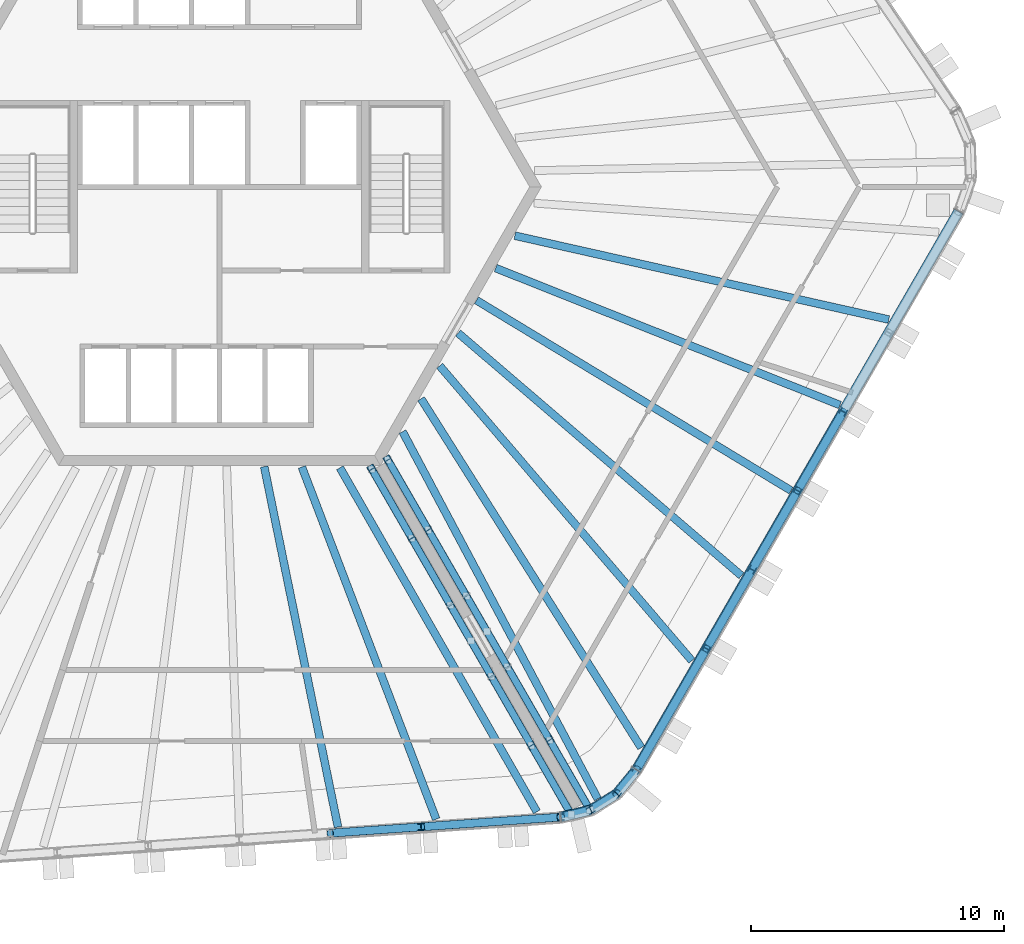
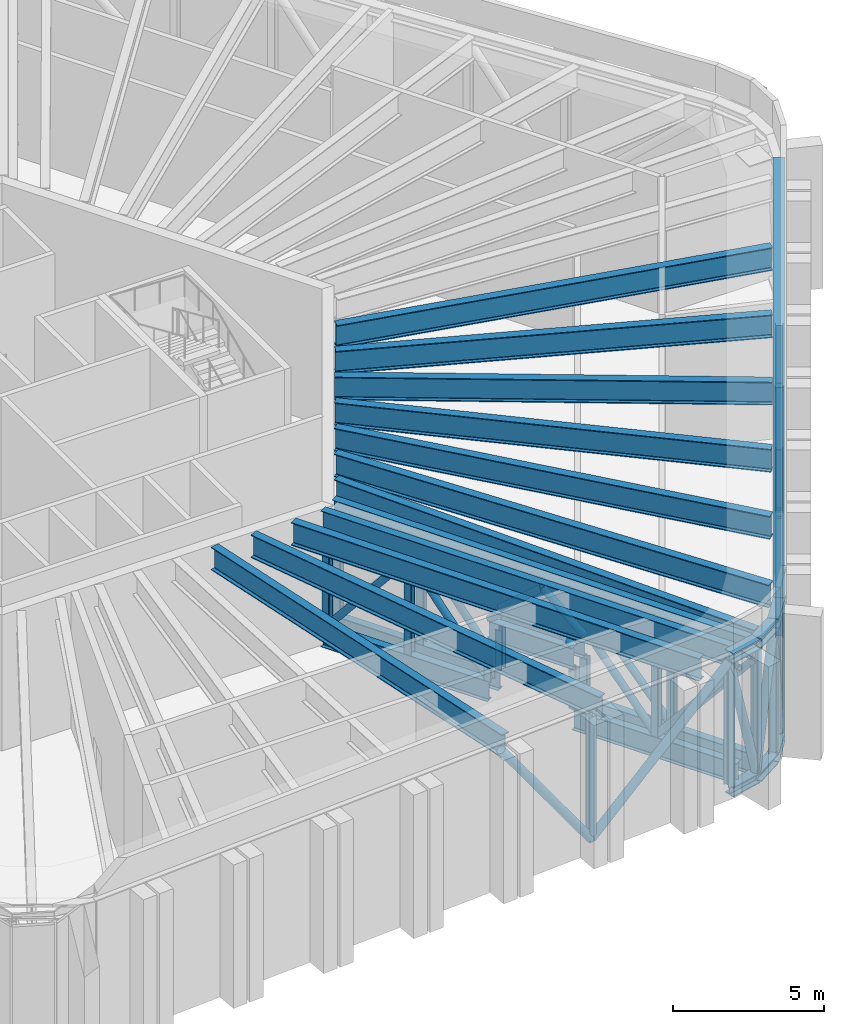
# One storey, part 4 of 19: 56 members, 10 beams.
"""IFC4 building model written with IfcOpenShell, lengths in metres."""

from ifc_helpers import new_model, si_unit, direction, frame, origin, origin_2d, place, context, subcontext, project, spatial, hollow_circle, i_section, extrude, material, material_profile, profile_set, type_object, element, save


model = new_model("IFC4")

# Units and contexts
model_context = context("Model", 3, precision=1e-05, world=origin(), true_north=direction((0.0, 1.0)))
body_context = subcontext(model_context, "Body", "Model", "MODEL_VIEW")
ifc_project = project(units=[si_unit("LENGTHUNIT", "METRE"), si_unit("AREAUNIT", "SQUARE_METRE"), si_unit("VOLUMEUNIT", "CUBIC_METRE"), si_unit("PLANEANGLEUNIT", "RADIAN"), si_unit("MASSUNIT", "GRAM", prefix="KILO")], contexts=[model_context])

# Site, building, storey
site_placement = place(None, origin())
site = spatial("IfcSite", under=ifc_project, at=site_placement, CompositionType="ELEMENT")
building_placement = place(site_placement, origin())
building = spatial("IfcBuilding", under=site, at=building_placement, Name="Tarnside Tower", CompositionType="ELEMENT")
storey_placement = place(building_placement, frame((0.0, 0.0, 343.5)))
storey = spatial("IfcBuildingStorey", under=building, at=storey_placement, Name="L83", CompositionType="ELEMENT", Elevation=343.5)

# Beams
ifc_material = material(Name="Steel S355", Category="steel")
ifc_material_profile_1 = material_profile(ifc_material, i_section(OverallWidth=0.3076171875, OverallDepth=0.926513671875, WebThickness=0.01953125, FlangeThickness=0.031982421875, FilletRadius=0.01904296875, at=origin_2d()), Name="UB 914x305x289")
ifc_profile_set_1 = profile_set([ifc_material_profile_1], Name="Steel S355")
beam_type = type_object("IfcBeamType", Name="Floor beam UB 914x305x289", PredefinedType="BEAM", material=ifc_profile_set_1)
beam_1_placement = place(storey_placement, frame((4.67529296875, -25.26416015625, 5.03662109375), z_axis=(-0.200592466345, 0.979674773813, 0.0), x_axis=(-0.979674773813, -0.200592466345, 0.0)))
element("IfcBeam", 1, at=beam_1_placement, inside=storey, type_object=beam_type, Name="Floor beam F4.05", PredefinedType="BEAM", context=body_context, shape_type="SweptSolid", body=[
    extrude(i_section(OverallWidth=0.3076171875, OverallDepth=0.926513671875, WebThickness=0.01953125, FlangeThickness=0.031982421875, FilletRadius=0.01904296875, at=origin_2d()), origin(), (0.0, 0.0, 1.0), 14.52001953125),
])
beam_2_placement = place(storey_placement, frame((8.550537109375, -24.955322265625, 5.03662109375), z_axis=(-0.356324946615, 0.934362099199, 0.0), x_axis=(-0.934362099199, -0.356324946615, 0.0)))
element("IfcBeam", 2, at=beam_2_placement, inside=storey, type_object=beam_type, Name="Floor beam F4.06", PredefinedType="BEAM", context=body_context, shape_type="SweptSolid", body=[
    extrude(i_section(OverallWidth=0.3076171875, OverallDepth=0.926513671875, WebThickness=0.01953125, FlangeThickness=0.031982421875, FilletRadius=0.01904296875, at=origin_2d()), origin(), (0.0, 0.0, 1.0), 14.87548828125),
])
beam_3_placement = place(storey_placement, frame((12.5244140625, -24.662841796875, 5.03662109375), z_axis=(-0.496851392144, 0.867835637736, 0.0), x_axis=(-0.867835637736, -0.496851392144, 0.0)))
element("IfcBeam", 3, at=beam_3_placement, inside=storey, type_object=beam_type, Name="Floor beam F4.07", PredefinedType="BEAM", context=body_context, shape_type="SweptSolid", body=[
    extrude(i_section(OverallWidth=0.3076171875, OverallDepth=0.926513671875, WebThickness=0.01953125, FlangeThickness=0.031982421875, FilletRadius=0.01904296875, at=origin_2d()), origin(), (0.0, 0.0, 1.0), 15.643310546875),
])
beam_4_placement = place(storey_placement, frame((14.927490234375, -24.155517578125, 5.03662109375), z_axis=(-0.469389000161, 0.882991487234, 0.0), x_axis=(-0.882991487234, -0.469389000161, 0.0)))
element("IfcBeam", 4, at=beam_4_placement, inside=storey, type_object=beam_type, Name="Floor beam C4", PredefinedType="BEAM", context=body_context, shape_type="SweptSolid", body=[
    extrude(i_section(OverallWidth=0.3076171875, OverallDepth=0.926513671875, WebThickness=0.01953125, FlangeThickness=0.031982421875, FilletRadius=0.01904296875, at=origin_2d()), origin(), (0.0, 0.0, 1.0), 16.41552734375),
])
beam_5_placement = place(storey_placement, frame((16.640625, -22.1328125, 5.03662109375), z_axis=(-0.533538155236, 0.845775996885, 0.0), x_axis=(-0.845775996885, -0.533538155236, 0.0)))
element("IfcBeam", 5, at=beam_5_placement, inside=storey, type_object=beam_type, Name="Floor beam F5.01", PredefinedType="BEAM", context=body_context, shape_type="SweptSolid", body=[
    extrude(i_section(OverallWidth=0.3076171875, OverallDepth=0.926513671875, WebThickness=0.01953125, FlangeThickness=0.031982421875, FilletRadius=0.01904296875, at=origin_2d()), origin(), (0.0, 0.0, 1.0), 16.280029296875),
])
beam_6_placement = place(storey_placement, frame((18.63916015625, -18.699951171875, 5.03662109375), z_axis=(-0.649982044133, 0.759949565633, 0.0), x_axis=(-0.759949565633, -0.649982044133, 0.0)))
element("IfcBeam", 6, at=beam_6_placement, inside=storey, type_object=beam_type, Name="Floor beam F5.02", PredefinedType="BEAM", context=body_context, shape_type="SweptSolid", body=[
    extrude(i_section(OverallWidth=0.3076171875, OverallDepth=0.926513671875, WebThickness=0.01953125, FlangeThickness=0.031982421875, FilletRadius=0.01904296875, at=origin_2d()), origin(), (0.0, 0.0, 1.0), 15.309814453125),
])
beam_7_placement = place(storey_placement, frame((20.595458984375, -15.34619140625, 5.03662109375), z_axis=(-0.759440372094, 0.650576914156, 0.0), x_axis=(-0.650576914156, -0.759440372094, 0.0)))
element("IfcBeam", 7, at=beam_7_placement, inside=storey, type_object=beam_type, Name="Floor beam F5.03", PredefinedType="BEAM", context=body_context, shape_type="SweptSolid", body=[
    extrude(i_section(OverallWidth=0.3076171875, OverallDepth=0.926513671875, WebThickness=0.01953125, FlangeThickness=0.031982421875, FilletRadius=0.01904296875, at=origin_2d()), origin(), (0.0, 0.0, 1.0), 14.720703125),
])
beam_8_placement = place(storey_placement, frame((22.55615234375, -11.988525390625, 5.03662109375), z_axis=(-0.855618319299, 0.517607275528, 0.0), x_axis=(-0.517607275528, -0.855618319299, 0.0)))
element("IfcBeam", 8, at=beam_8_placement, inside=storey, type_object=beam_type, Name="Floor beam F5.04", PredefinedType="BEAM", context=body_context, shape_type="SweptSolid", body=[
    extrude(i_section(OverallWidth=0.3076171875, OverallDepth=0.926513671875, WebThickness=0.01953125, FlangeThickness=0.031982421875, FilletRadius=0.01904296875, at=origin_2d()), origin(), (0.0, 0.0, 1.0), 14.511474609375),
])
beam_9_placement = place(storey_placement, frame((24.48388671875, -8.610595703125, 5.03662109375), z_axis=(-0.929178556913, 0.369631180197, 0.0), x_axis=(-0.369631180197, -0.929178556913, 0.0)))
element("IfcBeam", 9, at=beam_9_placement, inside=storey, type_object=beam_type, Name="Floor beam F5.05", PredefinedType="BEAM", context=body_context, shape_type="SweptSolid", body=[
    extrude(i_section(OverallWidth=0.3076171875, OverallDepth=0.926513671875, WebThickness=0.01953125, FlangeThickness=0.031982421875, FilletRadius=0.01904296875, at=origin_2d()), origin(), (0.0, 0.0, 1.0), 14.622802734375),
])
beam_10_placement = place(storey_placement, frame((26.409912109375, -5.239013671875, 5.03662109375), z_axis=(-0.975728291818, 0.21898470391, 0.0), x_axis=(-0.21898470391, -0.975728291818, 0.0)))
element("IfcBeam", 10, at=beam_10_placement, inside=storey, type_object=beam_type, Name="Floor beam F5.06", PredefinedType="BEAM", context=body_context, shape_type="SweptSolid", body=[
    extrude(i_section(OverallWidth=0.3076171875, OverallDepth=0.926513671875, WebThickness=0.01953125, FlangeThickness=0.031982421875, FilletRadius=0.01904296875, at=origin_2d()), origin(), (0.0, 0.0, 1.0), 15.1220703125),
])

# Members
ifc_material_profile_2 = material_profile(ifc_material, i_section(OverallWidth=0.291748046875, OverallDepth=0.8349609375, WebThickness=0.013916015625, FlangeThickness=0.018798828125, FilletRadius=0.017822265625, at=origin_2d()), Name="UB 838x292x176")
ifc_profile_set_2 = profile_set([ifc_material_profile_2], Name="Steel S355")
member_type_1 = type_object("IfcMemberType", Name="Outrigger chord UB 838x292x176", PredefinedType="CHORD", material=ifc_profile_set_2)
member_1_placement = place(storey_placement, frame((6.56201171875, -10.634033203125, 5.08251953125), z_axis=(0.499997282881, -0.866026972508, 0.0), x_axis=(0.866026972508, 0.499997282881, 0.0)))
element("IfcMember", 11, at=member_1_placement, inside=storey, type_object=member_type_1, Name="Outrigger truss top chord OR3A L83", PredefinedType="CHORD", context=body_context, shape_type="SweptSolid", body=[
    extrude(i_section(OverallWidth=0.291748046875, OverallDepth=0.8349609375, WebThickness=0.013916015625, FlangeThickness=0.018798828125, FilletRadius=0.017822265625, at=origin_2d()), origin(), (0.0, 0.0, 1.0), 16.12255859375),
])
member_2_placement = place(storey_placement, frame((6.56201171875, -10.634033203125, 0.41748046875), z_axis=(0.500000237956, -0.866025266401, 0.0), x_axis=(0.866025266401, 0.500000237956, 0.0)))
element("IfcMember", 12, at=member_2_placement, inside=storey, type_object=member_type_1, Name="Outrigger truss bottom chord OR3A L83", PredefinedType="CHORD", context=body_context, shape_type="SweptSolid", body=[
    extrude(i_section(OverallWidth=0.291748046875, OverallDepth=0.8349609375, WebThickness=0.013916015625, FlangeThickness=0.018798828125, FilletRadius=0.017822265625, at=origin_2d()), origin(), (0.0, 0.0, 1.0), 6.365234375),
])
member_3_placement = place(storey_placement, frame((11.363037109375, -18.949462890625, 0.41748046875), z_axis=(0.499980650337, -0.866036575029, 0.0), x_axis=(0.866036575029, 0.499980650337, 0.0)))
element("IfcMember", 13, at=member_3_placement, inside=storey, type_object=member_type_1, Name="Outrigger truss bottom chord OR3A L83", PredefinedType="CHORD", context=body_context, shape_type="SweptSolid", body=[
    extrude(i_section(OverallWidth=0.291748046875, OverallDepth=0.8349609375, WebThickness=0.013916015625, FlangeThickness=0.018798828125, FilletRadius=0.017822265625, at=origin_2d()), origin(), (0.0, 0.0, 1.0), 6.520751953125),
])
member_4_placement = place(storey_placement, frame((9.74462890625, -16.146484375, 2.867431640625), z_axis=(0.500024979889, -0.866010981159, 0.0), x_axis=(0.866010981159, 0.500024979889, 0.0)))
element("IfcMember", 14, at=member_4_placement, inside=storey, type_object=member_type_1, Name="Outrigger truss lintel OR3A L83", PredefinedType="CHORD", context=body_context, shape_type="SweptSolid", body=[
    extrude(i_section(OverallWidth=0.291748046875, OverallDepth=0.8349609375, WebThickness=0.013916015625, FlangeThickness=0.018798828125, FilletRadius=0.017822265625, at=origin_2d()), origin(), (0.0, 0.0, 1.0), 3.236572265625),
])
member_5_placement = place(storey_placement, frame((5.928466796875, -11.0, 5.08251953125), z_axis=(0.499992653382, -0.866029645315, 0.0), x_axis=(0.866029645315, 0.499992653382, 0.0)))
element("IfcMember", 15, at=member_5_placement, inside=storey, type_object=member_type_1, Name="Outrigger truss top chord OR3B L83", PredefinedType="CHORD", context=body_context, shape_type="SweptSolid", body=[
    extrude(i_section(OverallWidth=0.291748046875, OverallDepth=0.8349609375, WebThickness=0.013916015625, FlangeThickness=0.018798828125, FilletRadius=0.017822265625, at=origin_2d()), origin(), (0.0, 0.0, 1.0), 15.903564453125),
])
member_6_placement = place(storey_placement, frame((5.928466796875, -11.0, 0.41748046875), z_axis=(0.500000237956, -0.866025266401, 0.0), x_axis=(0.866025266401, 0.500000237956, 0.0)))
element("IfcMember", 16, at=member_6_placement, inside=storey, type_object=member_type_1, Name="Outrigger truss bottom chord OR3B L83", PredefinedType="CHORD", context=body_context, shape_type="SweptSolid", body=[
    extrude(i_section(OverallWidth=0.291748046875, OverallDepth=0.8349609375, WebThickness=0.013916015625, FlangeThickness=0.018798828125, FilletRadius=0.017822265625, at=origin_2d()), origin(), (0.0, 0.0, 1.0), 6.365234375),
])
member_7_placement = place(storey_placement, frame((10.729248046875, -19.3154296875, 0.41748046875), z_axis=(0.499997445459, -0.866026878644, 0.0), x_axis=(0.866026878644, 0.499997445459, 0.0)))
element("IfcMember", 17, at=member_7_placement, inside=storey, type_object=member_type_1, Name="Outrigger truss bottom chord OR3B L83", PredefinedType="CHORD", context=body_context, shape_type="SweptSolid", body=[
    extrude(i_section(OverallWidth=0.291748046875, OverallDepth=0.8349609375, WebThickness=0.013916015625, FlangeThickness=0.018798828125, FilletRadius=0.017822265625, at=origin_2d()), origin(), (0.0, 0.0, 1.0), 6.3017578125),
])
member_8_placement = place(storey_placement, frame((9.111083984375, -16.512451171875, 2.867431640625), z_axis=(0.499968406128, -0.866043643747, 0.0), x_axis=(0.866043643747, 0.499968406128, 0.0)))
element("IfcMember", 18, at=member_8_placement, inside=storey, type_object=member_type_1, Name="Outrigger truss lintel OR3B L83", PredefinedType="CHORD", context=body_context, shape_type="SweptSolid", body=[
    extrude(i_section(OverallWidth=0.291748046875, OverallDepth=0.8349609375, WebThickness=0.013916015625, FlangeThickness=0.018798828125, FilletRadius=0.017822265625, at=origin_2d()), origin(), (0.0, 0.0, 1.0), 3.236572265625),
])
ifc_material_profile_3 = material_profile(ifc_material, hollow_circle(Radius=0.136474609375, WallThickness=0.012451171875, at=origin_2d()), Name="CHS 273x12.5")
ifc_profile_set_3 = profile_set([ifc_material_profile_3], Name="Steel S355")
member_type_2 = type_object("IfcMemberType", Name="Outrigger diagonal CHS 273x12.5", PredefinedType="BRACE", material=ifc_profile_set_3)
member_9_placement = place(storey_placement, frame((6.64501953125, -10.77783203125, 0.8349609375), z_axis=(0.320078876535, -0.554359376129, 0.768267658367), x_axis=(0.866012320003, 0.50002266109, 0.0)))
element("IfcMember", 19, at=member_9_placement, inside=storey, type_object=member_type_2, Name="Outrigger truss diagonal OR3A 1", PredefinedType="BRACE", context=body_context, shape_type="SweptSolid", body=[
    extrude(hollow_circle(Radius=0.136474609375, WallThickness=0.012451171875, at=origin_2d()), origin(), (0.0, 0.0, 1.0), 4.9853515625),
])
member_10_placement = place(storey_placement, frame((8.24072265625, -13.54150390625, 4.6650390625), z_axis=(0.308808653627, -0.534900703603, -0.786459441249), x_axis=(0.866036909293, 0.499980071345, 0.0)))
element("IfcMember", 20, at=member_10_placement, inside=storey, type_object=member_type_2, Name="Outrigger truss diagonal OR3A 2", PredefinedType="BRACE", context=body_context, shape_type="SweptSolid", body=[
    extrude(hollow_circle(Radius=0.136474609375, WallThickness=0.012451171875, at=origin_2d()), origin(), (0.0, 0.0, 1.0), 4.8701171875),
])
for number, where, z_axis, x_axis, name in (
    (21, (9.74462890625, -16.146484375, 3.284912109375), (0.380397007774, -0.658979849616, 0.648878782421), (0.866062497709, 0.499935745934, 0.0), "Outrigger truss diagonal OR3A 3"),
    (22, (11.363037109375, -18.949462890625, 3.284912109375), (-0.380523955858, 0.658886125679, 0.648899524122), (-0.865959452569, -0.500114213461, 0.0), "Outrigger truss diagonal OR3A 4"),
):
    element("IfcMember", number, at=place(storey_placement, frame(where, z_axis=z_axis, x_axis=x_axis)), inside=storey, type_object=member_type_2, Name=name, PredefinedType="BRACE", context=body_context, shape_type="SweptSolid", body=[
        extrude(hollow_circle(Radius=0.136474609375, WallThickness=0.012451171875, at=origin_2d()), origin(), (0.0, 0.0, 1.0), 2.126953125),
    ])
member_11_placement = place(storey_placement, frame((11.363037109375, -18.949462890625, 4.6650390625), z_axis=(0.327993905301, -0.568192434074, -0.75470348876), x_axis=(0.866059821103, 0.499940382718, 0.0)))
element("IfcMember", 23, at=member_11_placement, inside=storey, type_object=member_type_2, Name="Outrigger truss diagonal OR3A 5", PredefinedType="BRACE", context=body_context, shape_type="SweptSolid", body=[
    extrude(hollow_circle(Radius=0.136474609375, WallThickness=0.012451171875, at=origin_2d()), origin(), (0.0, 0.0, 1.0), 5.074951171875),
])
member_12_placement = place(storey_placement, frame((13.027587890625, -21.8330078125, 0.8349609375), z_axis=(0.320078876535, -0.554359376129, 0.768267658367), x_axis=(0.866012320003, 0.50002266109, 0.0)))
element("IfcMember", 24, at=member_12_placement, inside=storey, type_object=member_type_2, Name="Outrigger truss diagonal OR3A 6", PredefinedType="BRACE", context=body_context, shape_type="SweptSolid", body=[
    extrude(hollow_circle(Radius=0.136474609375, WallThickness=0.012451171875, at=origin_2d()), origin(), (0.0, 0.0, 1.0), 4.9853515625),
])
member_13_placement = place(storey_placement, frame((6.01123046875, -11.1435546875, 0.8349609375), z_axis=(0.317492081123, -0.549836991738, 0.77257883801), x_axis=(0.865995704065, 0.500051437896, 0.0)))
element("IfcMember", 25, at=member_13_placement, inside=storey, type_object=member_type_2, Name="Outrigger truss diagonal OR3B 1", PredefinedType="BRACE", context=body_context, shape_type="SweptSolid", body=[
    extrude(hollow_circle(Radius=0.136474609375, WallThickness=0.012451171875, at=origin_2d()), origin(), (0.0, 0.0, 1.0), 4.95751953125),
])
member_14_placement = place(storey_placement, frame((7.585205078125, -13.869384765625, 4.6650390625), z_axis=(0.311575168638, -0.539698044108, -0.782078599295), x_axis=(0.86603905187, 0.499976360077, 0.0)))
element("IfcMember", 26, at=member_14_placement, inside=storey, type_object=member_type_2, Name="Outrigger truss diagonal OR3B 2", PredefinedType="BRACE", context=body_context, shape_type="SweptSolid", body=[
    extrude(hollow_circle(Radius=0.136474609375, WallThickness=0.012451171875, at=origin_2d()), origin(), (0.0, 0.0, 1.0), 4.897216796875),
])
member_15_placement = place(storey_placement, frame((9.111083984375, -16.512451171875, 3.284912109375), z_axis=(0.380425782107, -0.658914903226, 0.648927865494), x_axis=(0.866024786089, 0.500001069878, 0.0)))
element("IfcMember", 27, at=member_15_placement, inside=storey, type_object=member_type_2, Name="Outrigger truss diagonal OR3B 3", PredefinedType="BRACE", context=body_context, shape_type="SweptSolid", body=[
    extrude(hollow_circle(Radius=0.136474609375, WallThickness=0.012451171875, at=origin_2d()), origin(), (0.0, 0.0, 1.0), 2.126708984375),
])
member_16_placement = place(storey_placement, frame((10.729248046875, -19.3154296875, 3.284912109375), z_axis=(-0.380397007774, 0.658979849616, 0.648878782421), x_axis=(-0.866062497709, -0.499935745934, 0.0)))
element("IfcMember", 28, at=member_16_placement, inside=storey, type_object=member_type_2, Name="Outrigger truss diagonal OR3B 4", PredefinedType="BRACE", context=body_context, shape_type="SweptSolid", body=[
    extrude(hollow_circle(Radius=0.136474609375, WallThickness=0.012451171875, at=origin_2d()), origin(), (0.0, 0.0, 1.0), 2.126953125),
])
member_17_placement = place(storey_placement, frame((10.729248046875, -19.3154296875, 4.6650390625), z_axis=(0.317860940324, -0.550548925895, -0.771919881084), x_axis=(0.86602447079, 0.500001615989, 0.0)))
element("IfcMember", 29, at=member_17_placement, inside=storey, type_object=member_type_2, Name="Outrigger truss diagonal OR3B 5", PredefinedType="BRACE", context=body_context, shape_type="SweptSolid", body=[
    extrude(hollow_circle(Radius=0.136474609375, WallThickness=0.012451171875, at=origin_2d()), origin(), (0.0, 0.0, 1.0), 4.961669921875),
])
member_18_placement = place(storey_placement, frame((12.306396484375, -22.047119140625, 0.8349609375), z_axis=(0.317447797706, -0.549845588177, 0.772590916912), x_axis=(0.866029291668, 0.499993265928, 0.0)))
element("IfcMember", 30, at=member_18_placement, inside=storey, type_object=member_type_2, Name="Outrigger truss diagonal OR3B 6", PredefinedType="BRACE", context=body_context, shape_type="SweptSolid", body=[
    extrude(hollow_circle(Radius=0.136474609375, WallThickness=0.012451171875, at=origin_2d()), origin(), (0.0, 0.0, 1.0), 4.95751953125),
])
ifc_material_profile_4 = material_profile(ifc_material, i_section(OverallWidth=0.26123046875, OverallDepth=0.2763671875, WebThickness=0.015380859375, FlangeThickness=0.025390625, FilletRadius=0.0126953125, at=origin_2d()), Name="UC 254x254x132")
ifc_profile_set_4 = profile_set([ifc_material_profile_4], Name="Steel S355")
member_type_3 = type_object("IfcMemberType", Name="Outrigger post UC 254x254x132", PredefinedType="POST", material=ifc_profile_set_4)
for number, where, z_axis, x_axis, name in (
    (31, (6.64501953125, -10.77783203125, 0.8349609375), (0.0, 0.0, 1.0), (0.5, -0.866025403784, 0.0), "Outrigger truss post OR3A 1"),
    (32, (8.24072265625, -13.54150390625, 0.8349609375), (0.0, 0.0, 1.0), (0.5, -0.866025403784, 0.0), "Outrigger truss post OR3A 2"),
):
    element("IfcMember", number, at=place(storey_placement, frame(where, z_axis=z_axis, x_axis=x_axis)), inside=storey, type_object=member_type_3, Name=name, PredefinedType="POST", context=body_context, shape_type="SweptSolid", body=[
        extrude(i_section(OverallWidth=0.26123046875, OverallDepth=0.2763671875, WebThickness=0.015380859375, FlangeThickness=0.025390625, FilletRadius=0.0126953125, at=origin_2d()), origin(), (0.0, 0.0, 1.0), 3.830078125),
    ])
for number, where, z_axis, x_axis, name in (
    (33, (9.74462890625, -16.146484375, 0.8349609375), (0.0, 0.0, 1.0), (0.5, -0.866025403784, 0.0), "Outrigger truss post OR3A 3"),
    (34, (11.363037109375, -18.949462890625, 0.8349609375), (0.0, 0.0, 1.0), (0.5, -0.866025403784, 0.0), "Outrigger truss post OR3A 4"),
):
    element("IfcMember", number, at=place(storey_placement, frame(where, z_axis=z_axis, x_axis=x_axis)), inside=storey, type_object=member_type_3, Name=name, PredefinedType="POST", context=body_context, shape_type="SweptSolid", body=[
        extrude(i_section(OverallWidth=0.26123046875, OverallDepth=0.2763671875, WebThickness=0.015380859375, FlangeThickness=0.025390625, FilletRadius=0.0126953125, at=origin_2d()), origin(), (0.0, 0.0, 1.0), 1.614990234375),
    ])
for number, where, z_axis, x_axis, name in (
    (35, (13.027587890625, -21.8330078125, 0.8349609375), (0.0, 0.0, 1.0), (0.5, -0.866025403784, 0.0), "Outrigger truss post OR3A 5"),
    (36, (6.01123046875, -11.1435546875, 0.8349609375), (0.0, 0.0, 1.0), (0.5, -0.866025403784, 0.0), "Outrigger truss post OR3B 1"),
    (37, (7.585205078125, -13.869384765625, 0.8349609375), (0.0, 0.0, 1.0), (0.5, -0.866025403784, 0.0), "Outrigger truss post OR3B 2"),
):
    element("IfcMember", number, at=place(storey_placement, frame(where, z_axis=z_axis, x_axis=x_axis)), inside=storey, type_object=member_type_3, Name=name, PredefinedType="POST", context=body_context, shape_type="SweptSolid", body=[
        extrude(i_section(OverallWidth=0.26123046875, OverallDepth=0.2763671875, WebThickness=0.015380859375, FlangeThickness=0.025390625, FilletRadius=0.0126953125, at=origin_2d()), origin(), (0.0, 0.0, 1.0), 3.830078125),
    ])
for number, where, z_axis, x_axis, name in (
    (38, (9.111083984375, -16.512451171875, 0.8349609375), (0.0, 0.0, 1.0), (0.5, -0.866025403784, 0.0), "Outrigger truss post OR3B 3"),
    (39, (10.729248046875, -19.3154296875, 0.8349609375), (0.0, 0.0, 1.0), (0.5, -0.866025403784, 0.0), "Outrigger truss post OR3B 4"),
):
    element("IfcMember", number, at=place(storey_placement, frame(where, z_axis=z_axis, x_axis=x_axis)), inside=storey, type_object=member_type_3, Name=name, PredefinedType="POST", context=body_context, shape_type="SweptSolid", body=[
        extrude(i_section(OverallWidth=0.26123046875, OverallDepth=0.2763671875, WebThickness=0.015380859375, FlangeThickness=0.025390625, FilletRadius=0.0126953125, at=origin_2d()), origin(), (0.0, 0.0, 1.0), 1.614990234375),
    ])
member_19_placement = place(storey_placement, frame((12.306396484375, -22.047119140625, 0.8349609375), z_axis=(0.0, 0.0, 1.0), x_axis=(0.5, -0.866025403784, 0.0)))
element("IfcMember", 40, at=member_19_placement, inside=storey, type_object=member_type_3, Name="Outrigger truss post OR3B 5", PredefinedType="POST", context=body_context, shape_type="SweptSolid", body=[
    extrude(i_section(OverallWidth=0.26123046875, OverallDepth=0.2763671875, WebThickness=0.015380859375, FlangeThickness=0.025390625, FilletRadius=0.0126953125, at=origin_2d()), origin(), (0.0, 0.0, 1.0), 3.830078125),
])
ifc_material_profile_5 = material_profile(ifc_material, i_section(OverallWidth=0.39892578125, OverallDepth=0.3935546875, WebThickness=0.022705078125, FlangeThickness=0.03662109375, FilletRadius=0.01513671875, at=origin_2d()), Name="UC 356x406x287")
ifc_profile_set_5 = profile_set([ifc_material_profile_5], Name="Steel S355")
member_type_4 = type_object("IfcMemberType", Name="Truss chord UC 356x406x287", PredefinedType="CHORD", material=ifc_profile_set_5)
for number, where, z_axis, x_axis, name in (
    (41, (13.46533203125, -24.871337890625, -0.103271484375), (0.973044740285, 0.230616420501, 0.0), (-0.230616420501, 0.973044740285, 0.0), "Belt truss bottom chord L83 corner4.1"),
    (42, (14.64892578125, -24.5908203125, -0.103271484375), (0.848054682072, 0.529908724419, 0.0), (-0.529908724419, 0.848054682072, 0.0), "Belt truss bottom chord L83 corner4.2"),
):
    element("IfcMember", number, at=place(storey_placement, frame(where, z_axis=z_axis, x_axis=x_axis)), inside=storey, type_object=member_type_4, Name=name, PredefinedType="CHORD", context=body_context, shape_type="SweptSolid", body=[
        extrude(i_section(OverallWidth=0.39892578125, OverallDepth=0.3935546875, WebThickness=0.022705078125, FlangeThickness=0.03662109375, FilletRadius=0.01513671875, at=origin_2d()), origin(), (0.0, 0.0, 1.0), 1.21630859375),
    ])
member_20_placement = place(storey_placement, frame((15.680419921875, -23.9462890625, -0.103271484375), z_axis=(0.633805934167, 0.773492105852, 0.0), x_axis=(-0.773492105852, 0.633805934167, 0.0)))
element("IfcMember", 43, at=member_20_placement, inside=storey, type_object=member_type_4, Name="Belt truss bottom chord L83 corner4.3", PredefinedType="CHORD", context=body_context, shape_type="SweptSolid", body=[
    extrude(i_section(OverallWidth=0.39892578125, OverallDepth=0.3935546875, WebThickness=0.022705078125, FlangeThickness=0.03662109375, FilletRadius=0.01513671875, at=origin_2d()), origin(), (0.0, 0.0, 1.0), 1.216552734375),
])
member_21_placement = place(storey_placement, frame((16.451416015625, -23.00537109375, -0.103271484375), z_axis=(0.499992386778, 0.866029799236, 0.0), x_axis=(-0.866029799236, 0.499992386778, 0.0)))
element("IfcMember", 44, at=member_21_placement, inside=storey, type_object=member_type_4, Name="Belt truss bottom chord L83 run", PredefinedType="CHORD", context=body_context, shape_type="SweptSolid", body=[
    extrude(i_section(OverallWidth=0.39892578125, OverallDepth=0.3935546875, WebThickness=0.022705078125, FlangeThickness=0.03662109375, FilletRadius=0.01513671875, at=origin_2d()), origin(), (0.0, 0.0, 1.0), 25.44482421875),
])
ifc_material_profile_6 = material_profile(ifc_material, i_section(OverallWidth=0.403076171875, OverallDepth=0.406494140625, WebThickness=0.026611328125, FlangeThickness=0.04296875, FilletRadius=0.01513671875, at=origin_2d()), Name="UC 356x406x340")
ifc_profile_set_6 = profile_set([ifc_material_profile_6], Name="Steel S355")
member_type_5 = type_object("IfcMemberType", Name="Truss chord UC 356x406x340", PredefinedType="CHORD", material=ifc_profile_set_6)
for number, where, z_axis, x_axis, name in (
    (45, (13.46533203125, -24.871337890625, 5.296875), (0.973044740285, 0.230616420501, 0.0), (-0.230616420501, 0.973044740285, 0.0), "Belt truss top chord L83 corner4.1"),
    (46, (14.64892578125, -24.5908203125, 5.296875), (0.848054682072, 0.529908724419, 0.0), (-0.529908724419, 0.848054682072, 0.0), "Belt truss top chord L83 corner4.2"),
):
    element("IfcMember", number, at=place(storey_placement, frame(where, z_axis=z_axis, x_axis=x_axis)), inside=storey, type_object=member_type_5, Name=name, PredefinedType="CHORD", context=body_context, shape_type="SweptSolid", body=[
        extrude(i_section(OverallWidth=0.403076171875, OverallDepth=0.406494140625, WebThickness=0.026611328125, FlangeThickness=0.04296875, FilletRadius=0.01513671875, at=origin_2d()), origin(), (0.0, 0.0, 1.0), 1.21630859375),
    ])
member_22_placement = place(storey_placement, frame((15.680419921875, -23.9462890625, 5.296875), z_axis=(0.633805934167, 0.773492105852, 0.0), x_axis=(-0.773492105852, 0.633805934167, 0.0)))
element("IfcMember", 47, at=member_22_placement, inside=storey, type_object=member_type_5, Name="Belt truss top chord L83 corner4.3", PredefinedType="CHORD", context=body_context, shape_type="SweptSolid", body=[
    extrude(i_section(OverallWidth=0.403076171875, OverallDepth=0.406494140625, WebThickness=0.026611328125, FlangeThickness=0.04296875, FilletRadius=0.01513671875, at=origin_2d()), origin(), (0.0, 0.0, 1.0), 1.216552734375),
])
member_23_placement = place(storey_placement, frame((16.451416015625, -23.00537109375, 5.296875), z_axis=(0.499992386778, 0.866029799236, 0.0), x_axis=(-0.866029799236, 0.499992386778, 0.0)))
element("IfcMember", 48, at=member_23_placement, inside=storey, type_object=member_type_5, Name="Belt truss top chord L83 run", PredefinedType="CHORD", context=body_context, shape_type="SweptSolid", body=[
    extrude(i_section(OverallWidth=0.403076171875, OverallDepth=0.406494140625, WebThickness=0.026611328125, FlangeThickness=0.04296875, FilletRadius=0.01513671875, at=origin_2d()), origin(), (0.0, 0.0, 1.0), 25.44482421875),
])
ifc_material_profile_7 = material_profile(ifc_material, hollow_circle(Radius=0.161865234375, WallThickness=0.012451171875, at=origin_2d()), Name="CHS 323.9x12.5")
ifc_profile_set_7 = profile_set([ifc_material_profile_7], Name="Steel S355")
member_type_6 = type_object("IfcMemberType", Name="Truss diagonal CHS 323.9x12.5", PredefinedType="BRACE", material=ifc_profile_set_7)
member_24_placement = place(storey_placement, frame((4.365234375, -25.507568359375, 5.093505859375), z_axis=(0.582890314576, 0.040734958762, -0.811529139531), x_axis=(-0.069714402923, 0.997566991247, 0.0)))
element("IfcMember", 49, at=member_24_placement, inside=storey, type_object=member_type_6, Name="Belt truss diagonal L83 32", PredefinedType="BRACE", context=body_context, shape_type="SweptSolid", body=[
    extrude(hollow_circle(Radius=0.161865234375, WallThickness=0.012451171875, at=origin_2d()), origin(), (0.0, 0.0, 1.0), 6.1611328125),
])
member_25_placement = place(storey_placement, frame((7.95654296875, -25.256591796875, 0.093505859375), z_axis=(0.73948355545, 0.051715345262, 0.671185216079), x_axis=(-0.069764015206, 0.997563522881, 0.0)))
element("IfcMember", 50, at=member_25_placement, inside=storey, type_object=member_type_6, Name="Belt truss diagonal L83 33", PredefinedType="BRACE", context=body_context, shape_type="SweptSolid", body=[
    extrude(hollow_circle(Radius=0.161865234375, WallThickness=0.012451171875, at=origin_2d()), origin(), (0.0, 0.0, 1.0), 7.449462890625),
])
for number, where, z_axis, x_axis, name in (
    (51, (13.46533203125, -24.871337890625, 5.093505859375), (0.230010192762, 0.054513554349, -0.971660220251), (-0.230616420501, 0.973044740285, 0.0), "Belt truss diagonal L83 34"),
    (52, (14.64892578125, -24.5908203125, 0.093505859375), (0.200453059643, 0.125253509457, 0.971663588516), (-0.529908724419, 0.848054682072, 0.0), "Belt truss diagonal L83 35"),
    (53, (15.680419921875, -23.9462890625, 5.093505859375), (0.149828745181, 0.182849899913, -0.971656966845), (-0.773492105852, 0.633805934167, 0.0), "Belt truss diagonal L83 36"),
):
    element("IfcMember", number, at=place(storey_placement, frame(where, z_axis=z_axis, x_axis=x_axis)), inside=storey, type_object=member_type_6, Name=name, PredefinedType="BRACE", context=body_context, shape_type="SweptSolid", body=[
        extrude(hollow_circle(Radius=0.161865234375, WallThickness=0.012451171875, at=origin_2d()), origin(), (0.0, 0.0, 1.0), 5.145751953125),
    ])
member_26_placement = place(storey_placement, frame((16.451416015625, -23.00537109375, 0.093505859375), z_axis=(0.370655265357, 0.641977541387, 0.671177704202), x_axis=(-0.866019936856, 0.500009468878, 0.0)))
element("IfcMember", 54, at=member_26_placement, inside=storey, type_object=member_type_6, Name="Belt truss diagonal L83 37", PredefinedType="BRACE", context=body_context, shape_type="SweptSolid", body=[
    extrude(hollow_circle(Radius=0.161865234375, WallThickness=0.012451171875, at=origin_2d()), origin(), (0.0, 0.0, 1.0), 7.44970703125),
])
for number, where, z_axis, x_axis, name in (
    (55, (19.212646484375, -18.222900390625, 5.093505859375), (0.292159987665, 0.506019672112, -0.811533507037), (-0.866018442252, 0.500012057535, 0.0), "Belt truss diagonal L83 38"),
    (56, (21.0126953125, -15.105224609375, 0.093505859375), (0.292123743722, 0.506025530023, 0.811542901712), (-0.866047807691, 0.499961193289, 0.0), "Belt truss diagonal L83 39"),
    (57, (22.8125, -11.987548828125, 5.093505859375), (0.292159987665, 0.506019672112, -0.811533507037), (-0.866018442252, 0.500012057535, 0.0), "Belt truss diagonal L83 40"),
):
    element("IfcMember", number, at=place(storey_placement, frame(where, z_axis=z_axis, x_axis=x_axis)), inside=storey, type_object=member_type_6, Name=name, PredefinedType="BRACE", context=body_context, shape_type="SweptSolid", body=[
        extrude(hollow_circle(Radius=0.161865234375, WallThickness=0.012451171875, at=origin_2d()), origin(), (0.0, 0.0, 1.0), 6.1611328125),
    ])
ifc_material_profile_8 = material_profile(ifc_material, i_section(OverallWidth=0.26123046875, OverallDepth=0.2763671875, WebThickness=0.015380859375, FlangeThickness=0.025390625, FilletRadius=0.0126953125, at=origin_2d()), Name="UC 254x254x132")
ifc_profile_set_8 = profile_set([ifc_material_profile_8], Name="Steel S355")
member_type_7 = type_object("IfcMemberType", Name="Truss post UC 254x254x132", PredefinedType="POST", material=ifc_profile_set_8)
for number, where, z_axis, x_axis, name in (
    (58, (7.95654296875, -25.256591796875, 0.093505859375), (0.0, 0.0, 1.0), (0.99756405026, 0.069756473744, 0.0), "Belt truss post L83 33"),
    (59, (13.46533203125, -24.871337890625, 0.093505859375), (0.0, 0.0, 1.0), (0.99756405026, 0.069756473744, 0.0), "Belt truss post L83 34"),
    (60, (14.64892578125, -24.5908203125, 0.093505859375), (0.0, 0.0, 1.0), (0.848048096156, 0.529919264233, 0.0), "Belt truss post L83 35"),
    (61, (15.680419921875, -23.9462890625, 0.093505859375), (0.0, 0.0, 1.0), (0.633830967394, 0.773471592738, 0.0), "Belt truss post L83 36"),
    (62, (16.451416015625, -23.00537109375, 0.093505859375), (0.0, 0.0, 1.0), (0.5, 0.866025403784, 0.0), "Belt truss post L83 37"),
    (63, (19.212646484375, -18.222900390625, 0.093505859375), (0.0, 0.0, 1.0), (0.5, 0.866025403784, 0.0), "Belt truss post L83 38"),
    (64, (21.0126953125, -15.105224609375, 0.093505859375), (0.0, 0.0, 1.0), (0.5, 0.866025403784, 0.0), "Belt truss post L83 39"),
    (65, (22.8125, -11.987548828125, 0.093505859375), (0.0, 0.0, 1.0), (0.5, 0.866025403784, 0.0), "Belt truss post L83 40"),
    (66, (24.612548828125, -8.869873046875, 0.093505859375), (0.0, 0.0, 1.0), (0.5, 0.866025403784, 0.0), "Belt truss post L83 41"),
):
    element("IfcMember", number, at=place(storey_placement, frame(where, z_axis=z_axis, x_axis=x_axis)), inside=storey, type_object=member_type_7, Name=name, PredefinedType="POST", context=body_context, shape_type="SweptSolid", body=[
        extrude(i_section(OverallWidth=0.26123046875, OverallDepth=0.2763671875, WebThickness=0.015380859375, FlangeThickness=0.025390625, FilletRadius=0.0126953125, at=origin_2d()), origin(), (0.0, 0.0, 1.0), 5.0),
    ])

save(model, "model.ifc")
